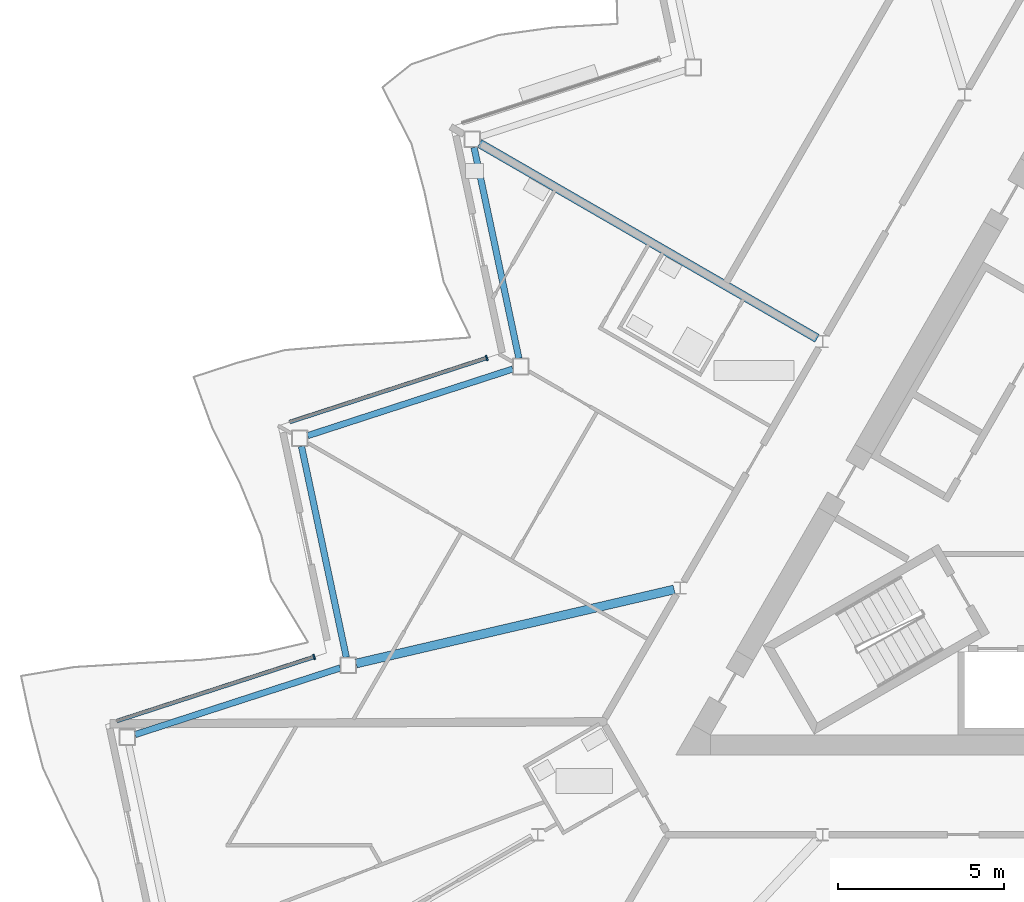
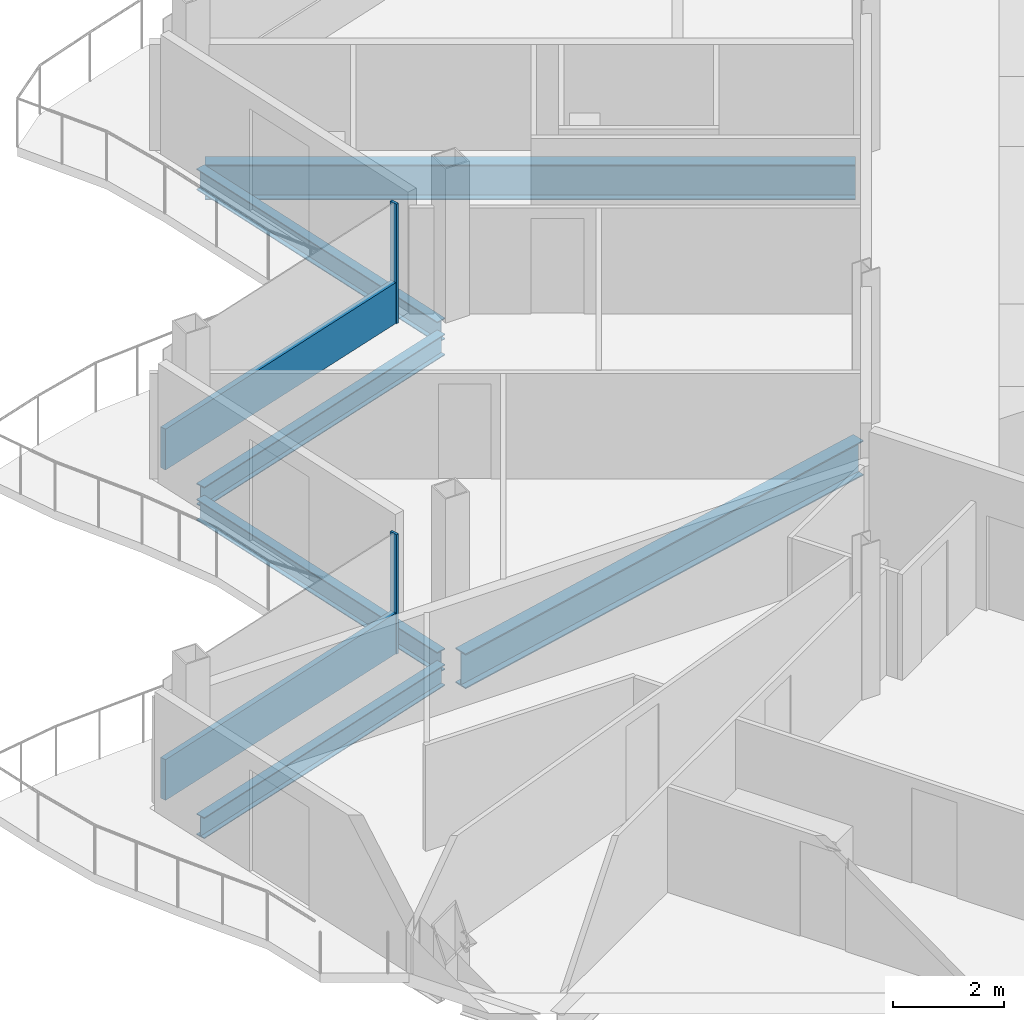
# One storey, part 6 of 26: 6 beams, 4 members, 2 elements without a shape of their own.
"""IFC4 building model written with IfcOpenShell, lengths in metres."""

from ifc_helpers import new_model, si_unit, direction, frame, origin, origin_2d, place, context, subcontext, project, spatial, rectangle, i_section, extrude, material, layer, layer_set, material_profile, profile_set, type_object, element, aggregate, save


model = new_model("IFC4")

# Units and contexts
model_context = context("Model", 3, precision=1e-05, world=origin(), true_north=direction((0.0, 1.0)))
body_context = subcontext(model_context, "Body", "Model", "MODEL_VIEW")
ifc_project = project(units=[si_unit("LENGTHUNIT", "METRE"), si_unit("AREAUNIT", "SQUARE_METRE"), si_unit("VOLUMEUNIT", "CUBIC_METRE"), si_unit("PLANEANGLEUNIT", "RADIAN"), si_unit("MASSUNIT", "GRAM", prefix="KILO")], contexts=[model_context])

# Site, building, storey
site_placement = place(None, origin())
site = spatial("IfcSite", under=ifc_project, at=site_placement, CompositionType="ELEMENT")
building_placement = place(site_placement, origin())
building = spatial("IfcBuilding", under=site, at=building_placement, Name="Cormorant Prow Tower", CompositionType="ELEMENT")
storey_placement = place(building_placement, frame((0.0, 0.0, 364.39990234375)))
storey = spatial("IfcBuildingStorey", under=building, at=storey_placement, Name="L81", CompositionType="ELEMENT", Elevation=364.39990234375)

# Beams
ifc_material_1 = material(Name="Structural steel ASTM A992 Gr 50", Category="steel")
ifc_material_profile_1 = material_profile(ifc_material_1, i_section(OverallWidth=0.267822265625, OverallDepth=0.77001953125, WebThickness=0.015625, FlangeThickness=0.025390625, at=origin_2d()), Name="W30x132")
ifc_profile_set_1 = profile_set([ifc_material_profile_1], Name="Structural steel ASTM A992 Gr 50")
beam_type_1 = type_object("IfcBeamType", Name="Radial floor beam W30x132", PredefinedType="BEAM", material=ifc_profile_set_1)
beam_1_placement = place(storey_placement, frame((-8.740478515625, 5.04638671875, -0.684814453125), z_axis=(-0.866026702285, 0.499997750924, 0.0), x_axis=(-0.499997750924, -0.866026702285, 0.0)))
element("IfcBeam", 1, at=beam_1_placement, inside=storey, type_object=beam_type_1, Name="Radial floor beam FB3 3 L81", PredefinedType="BEAM", context=body_context, shape_type="SweptSolid", body=[
    extrude(i_section(OverallWidth=0.267822265625, OverallDepth=0.77001953125, WebThickness=0.015625, FlangeThickness=0.025390625, at=origin_2d()), origin(), (0.0, 0.0, 1.0), 11.7451171875),
])
beam_2_placement = place(storey_placement, frame((-13.0498046875, -2.518798828125, -0.684814453125), z_axis=(-0.973926084128, -0.226865560752, 0.0), x_axis=(0.226865560752, -0.973926084128, 0.0)))
element("IfcBeam", 2, at=beam_2_placement, inside=storey, type_object=beam_type_1, Name="Radial floor beam FB3 4 L81", PredefinedType="BEAM", context=body_context, shape_type="SweptSolid", body=[
    extrude(i_section(OverallWidth=0.267822265625, OverallDepth=0.77001953125, WebThickness=0.015625, FlangeThickness=0.025390625, at=origin_2d()), origin(), (0.0, 0.0, 1.0), 9.837158203125),
])

# Curtain wall, member
ifc_material_2 = material(Name="Aluminium 6063-T6", Category="aluminium")
ifc_layer = layer(ifc_material_2, 0.159912109375)
ifc_layer_set = layer_set([ifc_layer], Name="Aluminium 6063-T6")
curtain_wall_type = type_object("IfcCurtainWallType", Name="Residential unitised curtain wall 160", PredefinedType="NOTDEFINED", material=ifc_layer_set)
curtain_wall_1_placement = place(storey_placement, origin())
curtain_wall_1 = element("IfcCurtainWall", 3, at=curtain_wall_1_placement, inside=storey, type_object=curtain_wall_type, Name="Residential curtain wall WNW06", PredefinedType="NOTDEFINED")
ifc_material_3 = material(Name="Aluminium 6063-T6", Category="aluminium")
ifc_material_profile_2 = material_profile(ifc_material_3, rectangle(XDim=0.159912109375, YDim=0.050048828125, at=origin_2d()), Name="Residential mullion 50x160")
ifc_profile_set_2 = profile_set([ifc_material_profile_2], Name="Aluminium 6063-T6")
member_type_1 = type_object("IfcMemberType", Name="Residential mullion 50x160", PredefinedType="MULLION", material=ifc_profile_set_2)
member_1_placement = place(storey_placement, frame((-18.696533203125, 4.45458984375, 0.0), z_axis=(0.0, 0.0, 1.0), x_axis=(0.309017024369, -0.951056506549, 0.0)))
member_1 = element("IfcMember", 4, at=member_1_placement, type_object=member_type_1, Name="Residential mullion WNW06", PredefinedType="MULLION", context=body_context, shape_type="SweptSolid", body=[
    extrude(rectangle(XDim=0.159912109375, YDim=0.050048828125, at=origin_2d()), origin(), (0.0, 0.0, 1.0), 2.634033203125),
])

curtain_wall_2_placement = place(storey_placement, origin())
curtain_wall_2 = element("IfcCurtainWall", 5, at=curtain_wall_2_placement, inside=storey, type_object=curtain_wall_type, Name="Residential curtain wall WNW08", PredefinedType="NOTDEFINED")
member_2_placement = place(storey_placement, frame((-23.896484375, -4.55224609375, 0.0), z_axis=(0.0, 0.0, 1.0), x_axis=(0.309017024369, -0.951056506549, 0.0)))
member_2 = element("IfcMember", 6, at=member_2_placement, type_object=member_type_1, Name="Residential mullion WNW08", PredefinedType="MULLION", context=body_context, shape_type="SweptSolid", body=[
    extrude(rectangle(XDim=0.159912109375, YDim=0.050048828125, at=origin_2d()), origin(), (0.0, 0.0, 1.0), 2.634033203125),
])

# Member
ifc_material_4 = material(Name="Terracotta", Category="masonry")
ifc_material_profile_3 = material_profile(ifc_material_4, rectangle(XDim=0.1201171875, YDim=0.89990234375, at=origin_2d()), Name="Residential terracotta spandrel rail 120x900")
ifc_profile_set_3 = profile_set([ifc_material_profile_3], Name="Terracotta")
member_type_2 = type_object("IfcMemberType", Name="Residential terracotta spandrel rail 120x900", PredefinedType="USERDEFINED", material=ifc_profile_set_3)
member_3_placement = place(storey_placement, frame((-18.720458984375, 4.44677734375, 0.4501953125), z_axis=(-0.951052253526, -0.309030113522, 0.0), x_axis=(0.309030113522, -0.951052253526, 0.0)))
member_3 = element("IfcMember", 7, at=member_3_placement, type_object=member_type_2, Name="Residential spandrel rail WNW06", ObjectType="TRANSOM", PredefinedType="USERDEFINED", context=body_context, shape_type="SweptSolid", body=[
    extrude(rectangle(XDim=0.1201171875, YDim=0.89990234375, at=origin_2d()), origin(), (0.0, 0.0, 1.0), 6.215087890625),
])

aggregate(curtain_wall_1, [member_1, member_3])

member_4_placement = place(storey_placement, frame((-23.92041015625, -4.559814453125, 0.4501953125), z_axis=(-0.951056004715, -0.309018568854, 0.0), x_axis=(0.309018568854, -0.951056004715, 0.0)))
member_4 = element("IfcMember", 8, at=member_4_placement, type_object=member_type_2, Name="Residential spandrel rail WNW08", ObjectType="TRANSOM", PredefinedType="USERDEFINED", context=body_context, shape_type="SweptSolid", body=[
    extrude(rectangle(XDim=0.1201171875, YDim=0.89990234375, at=origin_2d()), origin(), (0.0, 0.0, 1.0), 6.21533203125),
])

aggregate(curtain_wall_2, [member_2, member_4])

# Beams
ifc_material_5 = material(Name="Structural steel ASTM A992 Gr 50", Category="steel")
ifc_material_profile_4 = material_profile(ifc_material_5, i_section(OverallWidth=0.19287109375, OverallDepth=0.466064453125, WebThickness=0.011474609375, FlangeThickness=0.01904296875, at=origin_2d()), Name="W18x65")
ifc_profile_set_4 = profile_set([ifc_material_profile_4], Name="Structural steel ASTM A992 Gr 50")
beam_type_2 = type_object("IfcBeamType", Name="Spandrel beam W18x65", PredefinedType="SPANDREL", material=ifc_profile_set_4)
for number, where, z_axis, x_axis, name in (
    (9, (-19.07666015625, 10.79931640625, -0.532958984375), (0.207909538847, -0.978148058147, 0.0), (0.978148058147, 0.207909538847, 0.0), "Spandrel beam SB4 WNW05-WNW06 L81"),
    (10, (-17.91162109375, 4.122314453125, -0.532958984375), (-0.951053396625, -0.309026595569, 0.0), (0.309026595569, -0.951053396625, 0.0), "Spandrel beam SB4 WNW06-WNW07 L81"),
    (11, (-24.276611328125, 1.792724609375, -0.532958984375), (0.207909538847, -0.978148058147, 0.0), (0.978148058147, 0.207909538847, 0.0), "Spandrel beam SB4 WNW07-WNW08 L81"),
    (12, (-23.111572265625, -4.88427734375, -0.532958984375), (-0.951053396625, -0.309026595569, 0.0), (0.309026595569, -0.951053396625, 0.0), "Spandrel beam SB4 WNW08-WNW09 L81"),
):
    element("IfcBeam", number, at=place(storey_placement, frame(where, z_axis=z_axis, x_axis=x_axis)), inside=storey, type_object=beam_type_2, Name=name, PredefinedType="SPANDREL", context=body_context, shape_type="SweptSolid", body=[
        extrude(i_section(OverallWidth=0.19287109375, OverallDepth=0.466064453125, WebThickness=0.011474609375, FlangeThickness=0.01904296875, at=origin_2d()), origin(), (0.0, 0.0, 1.0), 6.497314453125),
    ])

save(model, "model.ifc")
